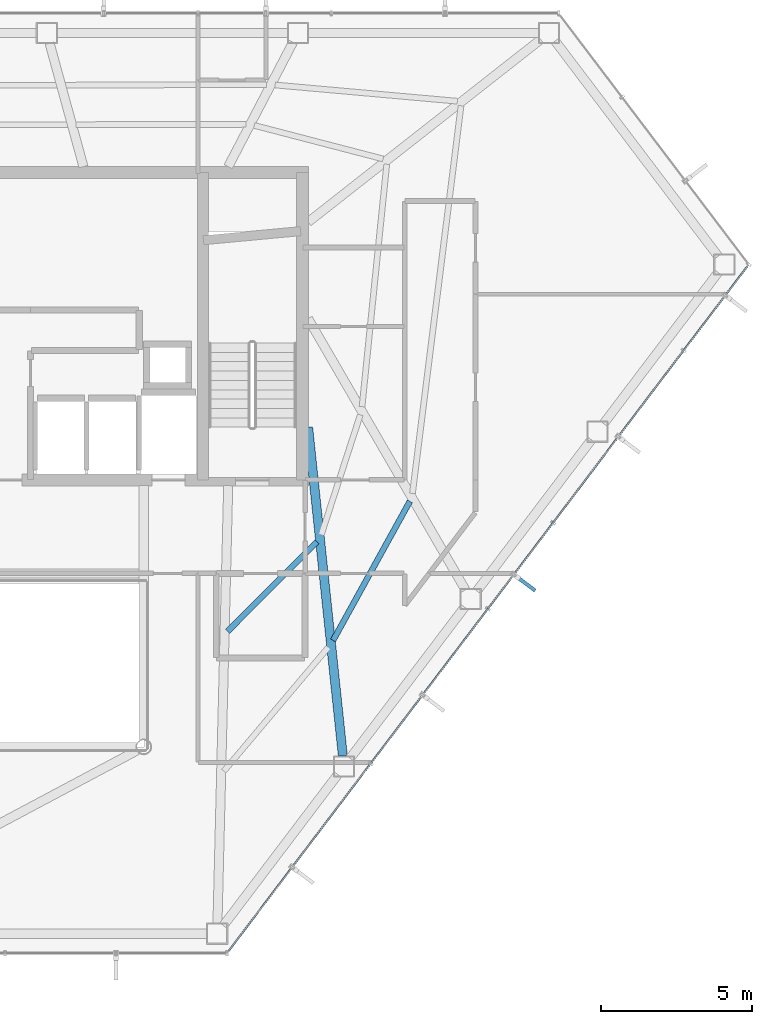
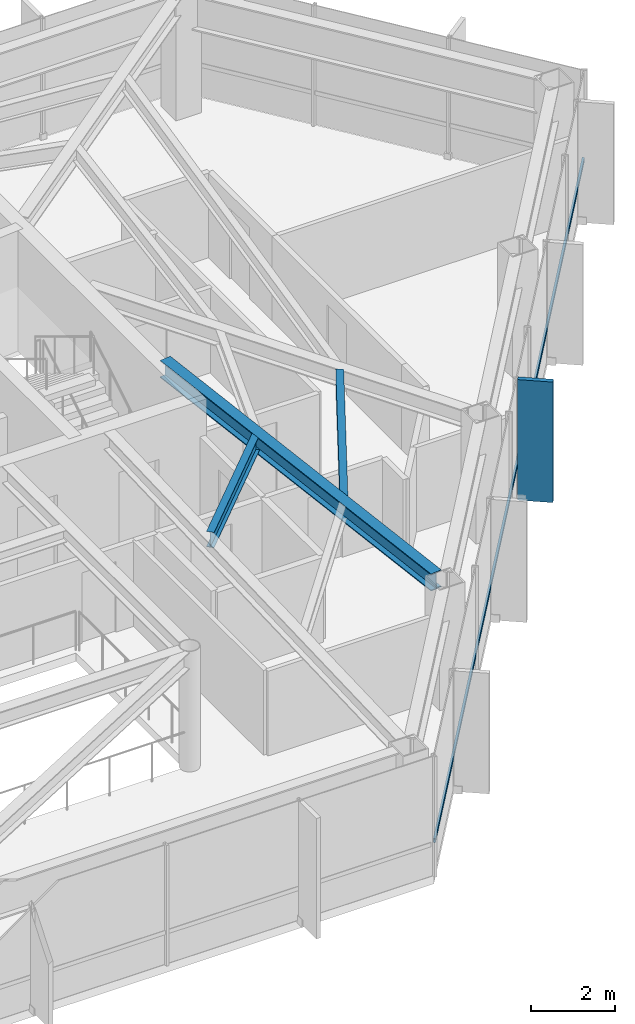
# One storey, part 17 of 27: 3 beams, 2 members, 1 element without a shape of its own.
"""IFC4 building model written with IfcOpenShell, lengths in metres."""

from ifc_helpers import new_model, si_unit, direction, frame, origin, origin_2d, place, context, subcontext, project, spatial, rectangle, hollow_rectangle, i_section, extrude, material, layer, layer_set, material_profile, profile_set, type_object, element, aggregate, save


model = new_model("IFC4")

# Units and contexts
model_context = context("Model", 3, precision=1e-05, world=origin(), true_north=direction((0.0, 1.0)))
body_context = subcontext(model_context, "Body", "Model", "MODEL_VIEW")
ifc_project = project(units=[si_unit("LENGTHUNIT", "METRE"), si_unit("AREAUNIT", "SQUARE_METRE"), si_unit("VOLUMEUNIT", "CUBIC_METRE"), si_unit("PLANEANGLEUNIT", "RADIAN"), si_unit("MASSUNIT", "GRAM", prefix="KILO")], contexts=[model_context])

# Site, building, storey
site_placement = place(None, origin())
site = spatial("IfcSite", under=ifc_project, at=site_placement, CompositionType="ELEMENT")
building_placement = place(site_placement, origin())
building = spatial("IfcBuilding", under=site, at=building_placement, Name="Zarrinselat Tower", CompositionType="ELEMENT")
storey_placement = place(building_placement, frame((0.0, 0.0, 175.780029296875)))
storey = spatial("IfcBuildingStorey", under=building, at=storey_placement, Name="L43", CompositionType="ELEMENT", Elevation=175.780029296875)

# Beams
ifc_material_1 = material(Name="Steel S355J2", Category="steel")
ifc_material_profile_1 = material_profile(ifc_material_1, i_section(OverallWidth=0.300048828125, OverallDepth=0.5, WebThickness=0.014404296875, FlangeThickness=0.028076171875, at=origin_2d()), Name="HEB 500")
ifc_profile_set_1 = profile_set([ifc_material_profile_1], Name="Steel S355J2")
beam_type_1 = type_object("IfcBeamType", Name="BM-HEB500", PredefinedType="BEAM", material=ifc_profile_set_1)
beam_1_placement = place(storey_placement, frame((48.449951171875, 35.0, 3.25), z_axis=(0.10512552653, -0.994458960275, 0.0), x_axis=(0.994458960275, 0.10512552653, 0.0)))
element("IfcBeam", 1, at=beam_1_placement, inside=storey, type_object=beam_type_1, Name="L43 Radial Primary Girder RG12", PredefinedType="BEAM", context=body_context, shape_type="SweptSolid", body=[
    extrude(i_section(OverallWidth=0.300048828125, OverallDepth=0.5, WebThickness=0.014404296875, FlangeThickness=0.028076171875, at=origin_2d()), origin(), (0.0, 0.0, 1.0), 10.95703125),
])
ifc_material_2 = material(Name="Steel S355J2", Category="steel")
ifc_material_profile_2 = material_profile(ifc_material_2, i_section(OverallWidth=0.18994140625, OverallDepth=0.449951171875, WebThickness=0.009521484375, FlangeThickness=0.0146484375, at=origin_2d()), Name="IPE 450")
ifc_profile_set_2 = profile_set([ifc_material_profile_2], Name="Steel S355J2")
beam_type_2 = type_object("IfcBeamType", Name="BM-IPE450", PredefinedType="JOIST", material=ifc_profile_set_2)
beam_2_placement = place(storey_placement, frame((45.77783203125, 28.22802734375, 3.27490234375), z_axis=(0.706699310823, 0.70751401688, 0.0), x_axis=(-0.70751401688, 0.706699310823, 0.0)))
element("IfcBeam", 2, at=beam_2_placement, inside=storey, type_object=beam_type_2, Name="L43 Composite Floor Joist 3-2", PredefinedType="JOIST", context=body_context, shape_type="SweptSolid", body=[
    extrude(i_section(OverallWidth=0.18994140625, OverallDepth=0.449951171875, WebThickness=0.009521484375, FlangeThickness=0.0146484375, at=origin_2d()), origin(), (0.0, 0.0, 1.0), 4.1953125),
])
beam_3_placement = place(storey_placement, frame((49.27783203125, 27.930908203125, 3.27490234375), z_axis=(0.483453446077, 0.875370073441, 0.0), x_axis=(-0.875370073441, 0.483453446077, 0.0)))
element("IfcBeam", 3, at=beam_3_placement, inside=storey, type_object=beam_type_2, Name="L43 Composite Floor Joist 4-1", PredefinedType="JOIST", context=body_context, shape_type="SweptSolid", body=[
    extrude(i_section(OverallWidth=0.18994140625, OverallDepth=0.449951171875, WebThickness=0.009521484375, FlangeThickness=0.0146484375, at=origin_2d()), origin(), (0.0, 0.0, 1.0), 5.267578125),
])

# Curtain wall, members
ifc_material_3 = material(Name="Extruded Aluminium Alloy EN AW-6063 T6", Category="aluminium")
ifc_layer = layer(ifc_material_3, 0.175048828125)
ifc_layer_set = layer_set([ifc_layer], Name="Extruded Aluminium Alloy EN AW-6063 T6")
curtain_wall_type = type_object("IfcCurtainWallType", Name="CWS-HTL", PredefinedType="NOTDEFINED", material=ifc_layer_set)
curtain_wall_placement = place(storey_placement, origin())
curtain_wall = element("IfcCurtainWall", 4, at=curtain_wall_placement, inside=storey, type_object=curtain_wall_type, Name="L43 Unitised Curtain Wall CW-L43-E05", PredefinedType="NOTDEFINED")
ifc_material_4 = material(Name="Extruded Aluminium Alloy EN AW-6063 T6", Category="aluminium")
ifc_material_profile_3 = material_profile(ifc_material_4, hollow_rectangle(XDim=0.06005859375, YDim=0.1201171875, WallThickness=0.00390625, at=origin_2d()), Name="RHS 120x60x4")
ifc_profile_set_3 = profile_set([ifc_material_profile_3], Name="Extruded Aluminium Alloy EN AW-6063 T6")
member_type_1 = type_object("IfcMemberType", Name="MEM-CW-TRN2", PredefinedType="USERDEFINED", material=ifc_profile_set_3)
member_1_placement = place(storey_placement, frame((45.812744140625, 17.626953125, 0.949951171875), z_axis=(0.603856862741, 0.797092773346, 0.0), x_axis=(-0.797092773346, 0.603856862741, 0.0)))
member_1 = element("IfcMember", 5, at=member_1_placement, type_object=member_type_1, Name="CW-L43-E05 Transom 1", ObjectType="TRANSOM", PredefinedType="USERDEFINED", context=body_context, shape_type="SweptSolid", body=[
    extrude(hollow_rectangle(XDim=0.06005859375, YDim=0.1201171875, WallThickness=0.00390625, at=origin_2d()), origin(), (0.0, 0.0, 1.0), 28.47900390625),
])
ifc_material_5 = material(Name="Honed Cream Travertine Stone", Category="masonry")
ifc_material_profile_4 = material_profile(ifc_material_5, rectangle(XDim=0.1201171875, YDim=0.85009765625, at=origin_2d()), Name="FIN 850x120")
ifc_profile_set_4 = profile_set([ifc_material_profile_4], Name="Honed Cream Travertine Stone")
member_type_2 = type_object("IfcMemberType", Name="MEM-STONE-FIN", PredefinedType="USERDEFINED", material=ifc_profile_set_4)
member_2_placement = place(storey_placement, frame((55.63916015625, 29.8359375, 0.0), z_axis=(0.0, 0.0, 1.0), x_axis=(-0.603859165965, -0.797091028478, 0.0)))
member_2 = element("IfcMember", 6, at=member_2_placement, type_object=member_type_2, Name="L43 Stone Shading Fin CW-L43-E05-05", ObjectType="FIN", PredefinedType="USERDEFINED", context=body_context, shape_type="SweptSolid", body=[
    extrude(rectangle(XDim=0.1201171875, YDim=0.85009765625, at=origin_2d()), origin(), (0.0, 0.0, 1.0), 3.5),
])
aggregate(curtain_wall, [member_2, member_1])

save(model, "model.ifc")
